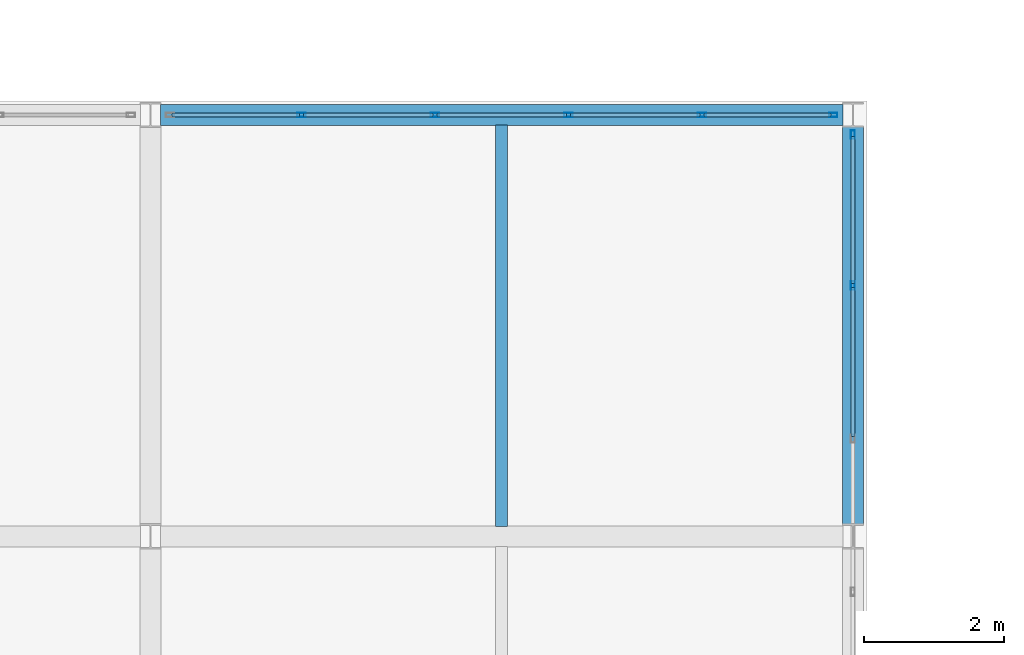
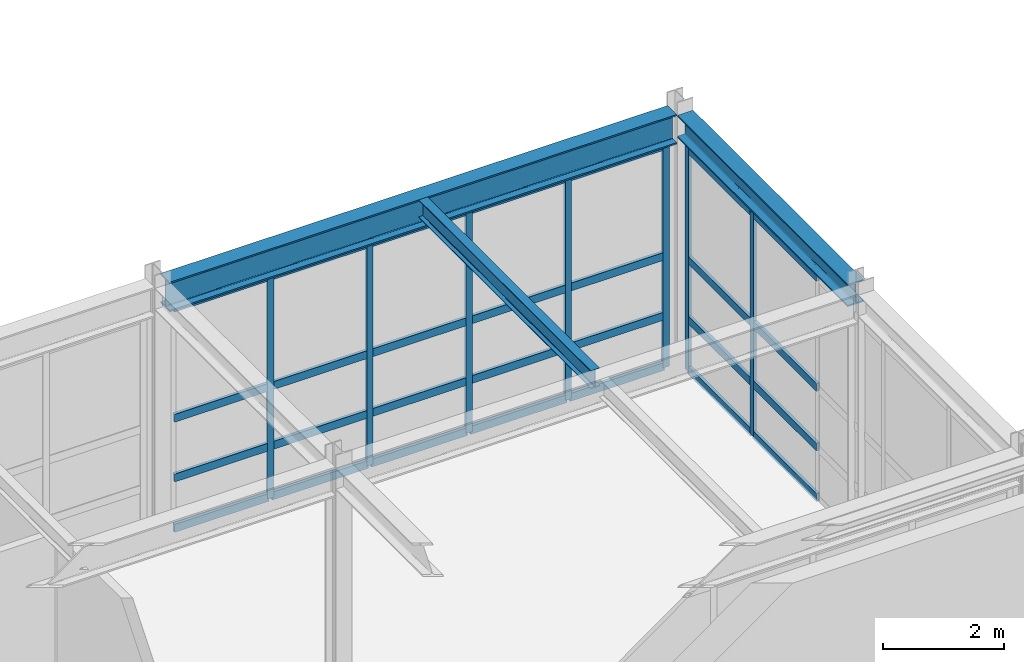
# One storey, part 130 of 210: 35 members, 3 beams, 2 elements without a shape of their own.
"""IFC4 building model written with IfcOpenShell, lengths in metres."""

from ifc_helpers import new_model, si_unit, direction, frame, origin, origin_2d, place, context, subcontext, project, spatial, hollow_rectangle, i_section, extrude, material, material_profile, profile_set, type_object, element, aggregate, save


model = new_model("IFC4")

# Units and contexts
model_context = context("Model", 3, precision=1e-05, world=origin(), true_north=direction((0.0, 1.0)))
body_context = subcontext(model_context, "Body", "Model", "MODEL_VIEW")
ifc_project = project(units=[si_unit("LENGTHUNIT", "METRE"), si_unit("AREAUNIT", "SQUARE_METRE"), si_unit("VOLUMEUNIT", "CUBIC_METRE"), si_unit("PLANEANGLEUNIT", "RADIAN"), si_unit("MASSUNIT", "GRAM", prefix="KILO")], contexts=[model_context])

# Site, building, storey
site_placement = place(None, origin())
site = spatial("IfcSite", under=ifc_project, at=site_placement, CompositionType="ELEMENT")
building_placement = place(site_placement, origin())
building = spatial("IfcBuilding", under=site, at=building_placement, Name="Kaldris Quays Convention Centre", CompositionType="ELEMENT")
storey_placement = place(building_placement, frame((0.0, 0.0, 6.0)))
storey = spatial("IfcBuildingStorey", under=building, at=storey_placement, Name="L01", CompositionType="ELEMENT", Elevation=6.0)

# Curtain wall, members
ifc_material_1 = material(Name="Anodized aluminium AW-6060 and triple glazing", Category="aluminium")
curtain_wall_type = type_object("IfcCurtainWallType", Name="UNITISED CURTAIN WALL CW06", PredefinedType="NOTDEFINED", material=ifc_material_1)
curtain_wall_1_placement = place(storey_placement, origin())
curtain_wall_1 = element("IfcCurtainWall", 1, at=curtain_wall_1_placement, inside=storey, type_object=curtain_wall_type, Name="L01 Unitised Curtain Wall CW06 163", PredefinedType="NOTDEFINED")
ifc_material_2 = material(Name="Anodized aluminium AW-6060", Category="aluminium")
ifc_material_profile_1 = material_profile(ifc_material_2, hollow_rectangle(XDim=0.06005859375, YDim=0.1201171875, WallThickness=0.00390625, at=origin_2d()), Name="RHS 120x60x4")
ifc_profile_set_1 = profile_set([ifc_material_profile_1], Name="Anodized aluminium AW-6060")
member_type_1 = type_object("IfcMemberType", Name="CURTAIN MULLION CWM3", PredefinedType="MULLION", material=ifc_profile_set_1)
member_1_placement = place(storey_placement, frame((186.14990234375, 116.0, 0.0), z_axis=(0.0, 0.0, 1.0), x_axis=(0.0, 1.0, 0.0)))
member_1 = element("IfcMember", 2, at=member_1_placement, type_object=member_type_1, Name="CW06 mullion 2", PredefinedType="MULLION", context=body_context, shape_type="SweptSolid", body=[
    extrude(hollow_rectangle(XDim=0.06005859375, YDim=0.1201171875, WallThickness=0.00390625, at=origin_2d()), origin(), (0.0, 0.0, 1.0), 4.51806640625),
])
member_2_placement = place(storey_placement, frame((188.050048828125, 116.0, 0.0), z_axis=(0.0, 0.0, 1.0), x_axis=(0.0, 1.0, 0.0)))
member_2 = element("IfcMember", 3, at=member_2_placement, type_object=member_type_1, Name="CW06 mullion 3", PredefinedType="MULLION", context=body_context, shape_type="SweptSolid", body=[
    extrude(hollow_rectangle(XDim=0.06005859375, YDim=0.1201171875, WallThickness=0.00390625, at=origin_2d()), origin(), (0.0, 0.0, 1.0), 4.51806640625),
])
member_3_placement = place(storey_placement, frame((189.949951171875, 116.0, 0.0), z_axis=(0.0, 0.0, 1.0), x_axis=(0.0, 1.0, 0.0)))
member_3 = element("IfcMember", 4, at=member_3_placement, type_object=member_type_1, Name="CW06 mullion 4", PredefinedType="MULLION", context=body_context, shape_type="SweptSolid", body=[
    extrude(hollow_rectangle(XDim=0.06005859375, YDim=0.1201171875, WallThickness=0.00390625, at=origin_2d()), origin(), (0.0, 0.0, 1.0), 4.51806640625),
])
member_4_placement = place(storey_placement, frame((191.85009765625, 116.0, 0.0), z_axis=(0.0, 0.0, 1.0), x_axis=(0.0, 1.0, 0.0)))
member_4 = element("IfcMember", 5, at=member_4_placement, type_object=member_type_1, Name="CW06 mullion 5", PredefinedType="MULLION", context=body_context, shape_type="SweptSolid", body=[
    extrude(hollow_rectangle(XDim=0.06005859375, YDim=0.1201171875, WallThickness=0.00390625, at=origin_2d()), origin(), (0.0, 0.0, 1.0), 4.51806640625),
])
member_5_placement = place(storey_placement, frame((193.719970703125, 116.0, 0.0), z_axis=(0.0, 0.0, 1.0), x_axis=(0.0, 1.0, 0.0)))
member_5 = element("IfcMember", 6, at=member_5_placement, type_object=member_type_1, Name="CW06 mullion 6", PredefinedType="MULLION", context=body_context, shape_type="SweptSolid", body=[
    extrude(hollow_rectangle(XDim=0.06005859375, YDim=0.1201171875, WallThickness=0.00390625, at=origin_2d()), origin(), (0.0, 0.0, 1.0), 4.51806640625),
])

curtain_wall_2_placement = place(storey_placement, origin())
curtain_wall_2 = element("IfcCurtainWall", 7, at=curtain_wall_2_placement, inside=storey, type_object=curtain_wall_type, Name="L01 Unitised Curtain Wall CW06 165", PredefinedType="NOTDEFINED")
member_6_placement = place(storey_placement, frame((194.0, 113.570068359375, 0.0), z_axis=(0.0, 0.0, 1.0), x_axis=(-1.0, 0.0, 0.0)))
member_6 = element("IfcMember", 8, at=member_6_placement, type_object=member_type_1, Name="CW06 mullion 5", PredefinedType="MULLION", context=body_context, shape_type="SweptSolid", body=[
    extrude(hollow_rectangle(XDim=0.06005859375, YDim=0.1201171875, WallThickness=0.00390625, at=origin_2d()), origin(), (0.0, 0.0, 1.0), 4.51806640625),
])
member_7_placement = place(storey_placement, frame((194.0, 115.719970703125, 0.0), z_axis=(0.0, 0.0, 1.0), x_axis=(-1.0, 0.0, 0.0)))
member_7 = element("IfcMember", 9, at=member_7_placement, type_object=member_type_1, Name="CW06 mullion 6", PredefinedType="MULLION", context=body_context, shape_type="SweptSolid", body=[
    extrude(hollow_rectangle(XDim=0.06005859375, YDim=0.1201171875, WallThickness=0.00390625, at=origin_2d()), origin(), (0.0, 0.0, 1.0), 4.51806640625),
])

# Member
ifc_material_profile_2 = material_profile(ifc_material_2, hollow_rectangle(XDim=0.06005859375, YDim=0.159912109375, WallThickness=0.00390625, at=origin_2d()), Name="RHS 160x60x4")
ifc_profile_set_2 = profile_set([ifc_material_profile_2], Name="Anodized aluminium AW-6060")
member_type_2 = type_object("IfcMemberType", Name="CURTAIN TRANSOM CWT2", PredefinedType="USERDEFINED", material=ifc_profile_set_2)
member_8_placement = place(storey_placement, frame((184.31005859375, 116.0, 0.030029296875), z_axis=(1.0, 0.0, 0.0), x_axis=(0.0, 1.0, 0.0)))
member_8 = element("IfcMember", 10, at=member_8_placement, type_object=member_type_2, Name="CW06 transom 1.1", ObjectType="TRANSOM", PredefinedType="USERDEFINED", context=body_context, shape_type="SweptSolid", body=[
    extrude(hollow_rectangle(XDim=0.06005859375, YDim=0.159912109375, WallThickness=0.00390625, at=origin_2d()), origin(), (0.0, 0.0, 1.0), 1.81005859375),
])

member_9_placement = place(storey_placement, frame((184.31005859375, 116.0, 1.050048828125), z_axis=(1.0, 0.0, 0.0), x_axis=(0.0, 1.0, 0.0)))
member_9 = element("IfcMember", 11, at=member_9_placement, type_object=member_type_2, Name="CW06 transom 1.2", ObjectType="TRANSOM", PredefinedType="USERDEFINED", context=body_context, shape_type="SweptSolid", body=[
    extrude(hollow_rectangle(XDim=0.06005859375, YDim=0.159912109375, WallThickness=0.00390625, at=origin_2d()), origin(), (0.0, 0.0, 1.0), 1.81005859375),
])

member_10_placement = place(storey_placement, frame((184.31005859375, 116.0, 2.259033203125), z_axis=(1.0, 0.0, 0.0), x_axis=(0.0, 1.0, 0.0)))
member_10 = element("IfcMember", 12, at=member_10_placement, type_object=member_type_2, Name="CW06 transom 1.3", ObjectType="TRANSOM", PredefinedType="USERDEFINED", context=body_context, shape_type="SweptSolid", body=[
    extrude(hollow_rectangle(XDim=0.06005859375, YDim=0.159912109375, WallThickness=0.00390625, at=origin_2d()), origin(), (0.0, 0.0, 1.0), 1.81005859375),
])

member_11_placement = place(storey_placement, frame((184.31005859375, 116.0, 4.488037109375), z_axis=(1.0, 0.0, 0.0), x_axis=(0.0, 1.0, 0.0)))
member_11 = element("IfcMember", 13, at=member_11_placement, type_object=member_type_2, Name="CW06 transom 1.4", ObjectType="TRANSOM", PredefinedType="USERDEFINED", context=body_context, shape_type="SweptSolid", body=[
    extrude(hollow_rectangle(XDim=0.06005859375, YDim=0.159912109375, WallThickness=0.00390625, at=origin_2d()), origin(), (0.0, 0.0, 1.0), 1.81005859375),
])

member_12_placement = place(storey_placement, frame((186.179931640625, 116.0, 0.030029296875), z_axis=(1.0, 0.0, 0.0), x_axis=(0.0, 1.0, 0.0)))
member_12 = element("IfcMember", 14, at=member_12_placement, type_object=member_type_2, Name="CW06 transom 2.1", ObjectType="TRANSOM", PredefinedType="USERDEFINED", context=body_context, shape_type="SweptSolid", body=[
    extrude(hollow_rectangle(XDim=0.06005859375, YDim=0.159912109375, WallThickness=0.00390625, at=origin_2d()), origin(), (0.0, 0.0, 1.0), 1.840087890625),
])

member_13_placement = place(storey_placement, frame((186.179931640625, 116.0, 1.050048828125), z_axis=(1.0, 0.0, 0.0), x_axis=(0.0, 1.0, 0.0)))
member_13 = element("IfcMember", 15, at=member_13_placement, type_object=member_type_2, Name="CW06 transom 2.2", ObjectType="TRANSOM", PredefinedType="USERDEFINED", context=body_context, shape_type="SweptSolid", body=[
    extrude(hollow_rectangle(XDim=0.06005859375, YDim=0.159912109375, WallThickness=0.00390625, at=origin_2d()), origin(), (0.0, 0.0, 1.0), 1.840087890625),
])

member_14_placement = place(storey_placement, frame((186.179931640625, 116.0, 2.259033203125), z_axis=(1.0, 0.0, 0.0), x_axis=(0.0, 1.0, 0.0)))
member_14 = element("IfcMember", 16, at=member_14_placement, type_object=member_type_2, Name="CW06 transom 2.3", ObjectType="TRANSOM", PredefinedType="USERDEFINED", context=body_context, shape_type="SweptSolid", body=[
    extrude(hollow_rectangle(XDim=0.06005859375, YDim=0.159912109375, WallThickness=0.00390625, at=origin_2d()), origin(), (0.0, 0.0, 1.0), 1.840087890625),
])

member_15_placement = place(storey_placement, frame((186.179931640625, 116.0, 4.488037109375), z_axis=(1.0, 0.0, 0.0), x_axis=(0.0, 1.0, 0.0)))
member_15 = element("IfcMember", 17, at=member_15_placement, type_object=member_type_2, Name="CW06 transom 2.4", ObjectType="TRANSOM", PredefinedType="USERDEFINED", context=body_context, shape_type="SweptSolid", body=[
    extrude(hollow_rectangle(XDim=0.06005859375, YDim=0.159912109375, WallThickness=0.00390625, at=origin_2d()), origin(), (0.0, 0.0, 1.0), 1.840087890625),
])

member_16_placement = place(storey_placement, frame((188.080078125, 116.0, 0.030029296875), z_axis=(1.0, 0.0, 0.0), x_axis=(0.0, 1.0, 0.0)))
member_16 = element("IfcMember", 18, at=member_16_placement, type_object=member_type_2, Name="CW06 transom 3.1", ObjectType="TRANSOM", PredefinedType="USERDEFINED", context=body_context, shape_type="SweptSolid", body=[
    extrude(hollow_rectangle(XDim=0.06005859375, YDim=0.159912109375, WallThickness=0.00390625, at=origin_2d()), origin(), (0.0, 0.0, 1.0), 1.83984375),
])

member_17_placement = place(storey_placement, frame((188.080078125, 116.0, 1.050048828125), z_axis=(1.0, 0.0, 0.0), x_axis=(0.0, 1.0, 0.0)))
member_17 = element("IfcMember", 19, at=member_17_placement, type_object=member_type_2, Name="CW06 transom 3.2", ObjectType="TRANSOM", PredefinedType="USERDEFINED", context=body_context, shape_type="SweptSolid", body=[
    extrude(hollow_rectangle(XDim=0.06005859375, YDim=0.159912109375, WallThickness=0.00390625, at=origin_2d()), origin(), (0.0, 0.0, 1.0), 1.83984375),
])

member_18_placement = place(storey_placement, frame((188.080078125, 116.0, 2.259033203125), z_axis=(1.0, 0.0, 0.0), x_axis=(0.0, 1.0, 0.0)))
member_18 = element("IfcMember", 20, at=member_18_placement, type_object=member_type_2, Name="CW06 transom 3.3", ObjectType="TRANSOM", PredefinedType="USERDEFINED", context=body_context, shape_type="SweptSolid", body=[
    extrude(hollow_rectangle(XDim=0.06005859375, YDim=0.159912109375, WallThickness=0.00390625, at=origin_2d()), origin(), (0.0, 0.0, 1.0), 1.83984375),
])

member_19_placement = place(storey_placement, frame((188.080078125, 116.0, 4.488037109375), z_axis=(1.0, 0.0, 0.0), x_axis=(0.0, 1.0, 0.0)))
member_19 = element("IfcMember", 21, at=member_19_placement, type_object=member_type_2, Name="CW06 transom 3.4", ObjectType="TRANSOM", PredefinedType="USERDEFINED", context=body_context, shape_type="SweptSolid", body=[
    extrude(hollow_rectangle(XDim=0.06005859375, YDim=0.159912109375, WallThickness=0.00390625, at=origin_2d()), origin(), (0.0, 0.0, 1.0), 1.83984375),
])

member_20_placement = place(storey_placement, frame((189.97998046875, 116.0, 0.030029296875), z_axis=(1.0, 0.0, 0.0), x_axis=(0.0, 1.0, 0.0)))
member_20 = element("IfcMember", 22, at=member_20_placement, type_object=member_type_2, Name="CW06 transom 4.1", ObjectType="TRANSOM", PredefinedType="USERDEFINED", context=body_context, shape_type="SweptSolid", body=[
    extrude(hollow_rectangle(XDim=0.06005859375, YDim=0.159912109375, WallThickness=0.00390625, at=origin_2d()), origin(), (0.0, 0.0, 1.0), 1.840087890625),
])

member_21_placement = place(storey_placement, frame((189.97998046875, 116.0, 1.050048828125), z_axis=(1.0, 0.0, 0.0), x_axis=(0.0, 1.0, 0.0)))
member_21 = element("IfcMember", 23, at=member_21_placement, type_object=member_type_2, Name="CW06 transom 4.2", ObjectType="TRANSOM", PredefinedType="USERDEFINED", context=body_context, shape_type="SweptSolid", body=[
    extrude(hollow_rectangle(XDim=0.06005859375, YDim=0.159912109375, WallThickness=0.00390625, at=origin_2d()), origin(), (0.0, 0.0, 1.0), 1.840087890625),
])

member_22_placement = place(storey_placement, frame((189.97998046875, 116.0, 2.259033203125), z_axis=(1.0, 0.0, 0.0), x_axis=(0.0, 1.0, 0.0)))
member_22 = element("IfcMember", 24, at=member_22_placement, type_object=member_type_2, Name="CW06 transom 4.3", ObjectType="TRANSOM", PredefinedType="USERDEFINED", context=body_context, shape_type="SweptSolid", body=[
    extrude(hollow_rectangle(XDim=0.06005859375, YDim=0.159912109375, WallThickness=0.00390625, at=origin_2d()), origin(), (0.0, 0.0, 1.0), 1.840087890625),
])

member_23_placement = place(storey_placement, frame((189.97998046875, 116.0, 4.488037109375), z_axis=(1.0, 0.0, 0.0), x_axis=(0.0, 1.0, 0.0)))
member_23 = element("IfcMember", 25, at=member_23_placement, type_object=member_type_2, Name="CW06 transom 4.4", ObjectType="TRANSOM", PredefinedType="USERDEFINED", context=body_context, shape_type="SweptSolid", body=[
    extrude(hollow_rectangle(XDim=0.06005859375, YDim=0.159912109375, WallThickness=0.00390625, at=origin_2d()), origin(), (0.0, 0.0, 1.0), 1.840087890625),
])

member_24_placement = place(storey_placement, frame((191.8798828125, 116.0, 0.030029296875), z_axis=(1.0, 0.0, 0.0), x_axis=(0.0, 1.0, 0.0)))
member_24 = element("IfcMember", 26, at=member_24_placement, type_object=member_type_2, Name="CW06 transom 5.1", ObjectType="TRANSOM", PredefinedType="USERDEFINED", context=body_context, shape_type="SweptSolid", body=[
    extrude(hollow_rectangle(XDim=0.06005859375, YDim=0.159912109375, WallThickness=0.00390625, at=origin_2d()), origin(), (0.0, 0.0, 1.0), 1.81005859375),
])

member_25_placement = place(storey_placement, frame((191.8798828125, 116.0, 1.050048828125), z_axis=(1.0, 0.0, 0.0), x_axis=(0.0, 1.0, 0.0)))
member_25 = element("IfcMember", 27, at=member_25_placement, type_object=member_type_2, Name="CW06 transom 5.2", ObjectType="TRANSOM", PredefinedType="USERDEFINED", context=body_context, shape_type="SweptSolid", body=[
    extrude(hollow_rectangle(XDim=0.06005859375, YDim=0.159912109375, WallThickness=0.00390625, at=origin_2d()), origin(), (0.0, 0.0, 1.0), 1.81005859375),
])

member_26_placement = place(storey_placement, frame((191.8798828125, 116.0, 2.259033203125), z_axis=(1.0, 0.0, 0.0), x_axis=(0.0, 1.0, 0.0)))
member_26 = element("IfcMember", 28, at=member_26_placement, type_object=member_type_2, Name="CW06 transom 5.3", ObjectType="TRANSOM", PredefinedType="USERDEFINED", context=body_context, shape_type="SweptSolid", body=[
    extrude(hollow_rectangle(XDim=0.06005859375, YDim=0.159912109375, WallThickness=0.00390625, at=origin_2d()), origin(), (0.0, 0.0, 1.0), 1.81005859375),
])

member_27_placement = place(storey_placement, frame((191.8798828125, 116.0, 4.488037109375), z_axis=(1.0, 0.0, 0.0), x_axis=(0.0, 1.0, 0.0)))
member_27 = element("IfcMember", 29, at=member_27_placement, type_object=member_type_2, Name="CW06 transom 5.4", ObjectType="TRANSOM", PredefinedType="USERDEFINED", context=body_context, shape_type="SweptSolid", body=[
    extrude(hollow_rectangle(XDim=0.06005859375, YDim=0.159912109375, WallThickness=0.00390625, at=origin_2d()), origin(), (0.0, 0.0, 1.0), 1.81005859375),
])

aggregate(curtain_wall_1, [member_1, member_2, member_3, member_4, member_5, member_8, member_9, member_10, member_11, member_12, member_13, member_14, member_15, member_16, member_17, member_18, member_19, member_20, member_21, member_22, member_23, member_24, member_25, member_26, member_27])

member_28_placement = place(storey_placement, frame((194.0, 111.419921875, 0.030029296875), z_axis=(0.0, 1.0, 0.0), x_axis=(-1.0, 0.0, 0.0)))
member_28 = element("IfcMember", 30, at=member_28_placement, type_object=member_type_2, Name="CW06 transom 4.1", ObjectType="TRANSOM", PredefinedType="USERDEFINED", context=body_context, shape_type="SweptSolid", body=[
    extrude(hollow_rectangle(XDim=0.06005859375, YDim=0.159912109375, WallThickness=0.00390625, at=origin_2d()), origin(), (0.0, 0.0, 1.0), 2.1201171875),
])

member_29_placement = place(storey_placement, frame((194.0, 111.419921875, 1.050048828125), z_axis=(0.0, 1.0, 0.0), x_axis=(-1.0, 0.0, 0.0)))
member_29 = element("IfcMember", 31, at=member_29_placement, type_object=member_type_2, Name="CW06 transom 4.2", ObjectType="TRANSOM", PredefinedType="USERDEFINED", context=body_context, shape_type="SweptSolid", body=[
    extrude(hollow_rectangle(XDim=0.06005859375, YDim=0.159912109375, WallThickness=0.00390625, at=origin_2d()), origin(), (0.0, 0.0, 1.0), 2.1201171875),
])

member_30_placement = place(storey_placement, frame((194.0, 111.419921875, 2.259033203125), z_axis=(0.0, 1.0, 0.0), x_axis=(-1.0, 0.0, 0.0)))
member_30 = element("IfcMember", 32, at=member_30_placement, type_object=member_type_2, Name="CW06 transom 4.3", ObjectType="TRANSOM", PredefinedType="USERDEFINED", context=body_context, shape_type="SweptSolid", body=[
    extrude(hollow_rectangle(XDim=0.06005859375, YDim=0.159912109375, WallThickness=0.00390625, at=origin_2d()), origin(), (0.0, 0.0, 1.0), 2.1201171875),
])

member_31_placement = place(storey_placement, frame((194.0, 111.419921875, 4.488037109375), z_axis=(0.0, 1.0, 0.0), x_axis=(-1.0, 0.0, 0.0)))
member_31 = element("IfcMember", 33, at=member_31_placement, type_object=member_type_2, Name="CW06 transom 4.4", ObjectType="TRANSOM", PredefinedType="USERDEFINED", context=body_context, shape_type="SweptSolid", body=[
    extrude(hollow_rectangle(XDim=0.06005859375, YDim=0.159912109375, WallThickness=0.00390625, at=origin_2d()), origin(), (0.0, 0.0, 1.0), 2.1201171875),
])

member_32_placement = place(storey_placement, frame((194.0, 113.60009765625, 0.030029296875), z_axis=(0.0, 1.0, 0.0), x_axis=(-1.0, 0.0, 0.0)))
member_32 = element("IfcMember", 34, at=member_32_placement, type_object=member_type_2, Name="CW06 transom 5.1", ObjectType="TRANSOM", PredefinedType="USERDEFINED", context=body_context, shape_type="SweptSolid", body=[
    extrude(hollow_rectangle(XDim=0.06005859375, YDim=0.159912109375, WallThickness=0.00390625, at=origin_2d()), origin(), (0.0, 0.0, 1.0), 2.08984375),
])

member_33_placement = place(storey_placement, frame((194.0, 113.60009765625, 1.050048828125), z_axis=(0.0, 1.0, 0.0), x_axis=(-1.0, 0.0, 0.0)))
member_33 = element("IfcMember", 35, at=member_33_placement, type_object=member_type_2, Name="CW06 transom 5.2", ObjectType="TRANSOM", PredefinedType="USERDEFINED", context=body_context, shape_type="SweptSolid", body=[
    extrude(hollow_rectangle(XDim=0.06005859375, YDim=0.159912109375, WallThickness=0.00390625, at=origin_2d()), origin(), (0.0, 0.0, 1.0), 2.08984375),
])

member_34_placement = place(storey_placement, frame((194.0, 113.60009765625, 2.259033203125), z_axis=(0.0, 1.0, 0.0), x_axis=(-1.0, 0.0, 0.0)))
member_34 = element("IfcMember", 36, at=member_34_placement, type_object=member_type_2, Name="CW06 transom 5.3", ObjectType="TRANSOM", PredefinedType="USERDEFINED", context=body_context, shape_type="SweptSolid", body=[
    extrude(hollow_rectangle(XDim=0.06005859375, YDim=0.159912109375, WallThickness=0.00390625, at=origin_2d()), origin(), (0.0, 0.0, 1.0), 2.08984375),
])

member_35_placement = place(storey_placement, frame((194.0, 113.60009765625, 4.488037109375), z_axis=(0.0, 1.0, 0.0), x_axis=(-1.0, 0.0, 0.0)))
member_35 = element("IfcMember", 37, at=member_35_placement, type_object=member_type_2, Name="CW06 transom 5.4", ObjectType="TRANSOM", PredefinedType="USERDEFINED", context=body_context, shape_type="SweptSolid", body=[
    extrude(hollow_rectangle(XDim=0.06005859375, YDim=0.159912109375, WallThickness=0.00390625, at=origin_2d()), origin(), (0.0, 0.0, 1.0), 2.08984375),
])

aggregate(curtain_wall_2, [member_6, member_7, member_28, member_29, member_30, member_31, member_32, member_33, member_34, member_35])

# Beams
ifc_material_3 = material(Name="Steel S355J2", Category="steel")
ifc_material_profile_3 = material_profile(ifc_material_3, i_section(OverallWidth=0.300048828125, OverallDepth=0.60009765625, WebThickness=0.015380859375, FlangeThickness=0.030029296875, FilletRadius=0.027099609375, at=origin_2d()), Name="HEB 600")
ifc_profile_set_3 = profile_set([ifc_material_profile_3], Name="Steel S355J2")
beam_type_1 = type_object("IfcBeamType", Name="STRUCTURAL BEAM BM05", PredefinedType="BEAM", material=ifc_profile_set_3)
beam_1_placement = place(storey_placement, frame((184.14404296875, 116.0, 4.843017578125), z_axis=(1.0, 0.0, 0.0), x_axis=(0.0, 1.0, 0.0)))
element("IfcBeam", 38, at=beam_1_placement, inside=storey, type_object=beam_type_1, Name="L01 Girder BM05 55", PredefinedType="BEAM", context=body_context, shape_type="SweptSolid", body=[
    extrude(i_section(OverallWidth=0.300048828125, OverallDepth=0.60009765625, WebThickness=0.015380859375, FlangeThickness=0.030029296875, FilletRadius=0.027099609375, at=origin_2d()), origin(), (0.0, 0.0, 1.0), 9.7119140625),
])
ifc_material_profile_4 = material_profile(ifc_material_3, i_section(OverallWidth=0.300048828125, OverallDepth=0.449951171875, WebThickness=0.013916015625, FlangeThickness=0.02587890625, FilletRadius=0.027099609375, at=origin_2d()), Name="HEB 450")
ifc_profile_set_4 = profile_set([ifc_material_profile_4], Name="Steel S355J2")
beam_type_2 = type_object("IfcBeamType", Name="STRUCTURAL BEAM BM07", PredefinedType="BEAM", material=ifc_profile_set_4)
beam_2_placement = place(storey_placement, frame((194.0, 110.174072265625, 4.91796875), z_axis=(0.0, 1.0, 0.0), x_axis=(-1.0, 0.0, 0.0)))
element("IfcBeam", 39, at=beam_2_placement, inside=storey, type_object=beam_type_2, Name="L01 Girder BM07 109", PredefinedType="BEAM", context=body_context, shape_type="SweptSolid", body=[
    extrude(i_section(OverallWidth=0.300048828125, OverallDepth=0.449951171875, WebThickness=0.013916015625, FlangeThickness=0.02587890625, FilletRadius=0.027099609375, at=origin_2d()), origin(), (0.0, 0.0, 1.0), 5.65185546875),
])
ifc_material_profile_5 = material_profile(ifc_material_3, i_section(OverallWidth=0.169921875, OverallDepth=0.360107421875, WebThickness=0.008056640625, FlangeThickness=0.0126953125, FilletRadius=0.01806640625, at=origin_2d()), Name="IPE 360")
ifc_profile_set_5 = profile_set([ifc_material_profile_5], Name="Steel S355J2")
beam_type_3 = type_object("IfcBeamType", Name="STRUCTURAL BEAM JT03", PredefinedType="JOIST", material=ifc_profile_set_5)
beam_3_placement = place(storey_placement, frame((189.0, 110.14404296875, 4.962890625), z_axis=(0.0, 1.0, 0.0), x_axis=(-1.0, 0.0, 0.0)))
element("IfcBeam", 40, at=beam_3_placement, inside=storey, type_object=beam_type_3, Name="L01 Secondary Joist JT03 35", PredefinedType="JOIST", context=body_context, shape_type="SweptSolid", body=[
    extrude(i_section(OverallWidth=0.169921875, OverallDepth=0.360107421875, WebThickness=0.008056640625, FlangeThickness=0.0126953125, FilletRadius=0.01806640625, at=origin_2d()), origin(), (0.0, 0.0, 1.0), 5.7119140625),
])

save(model, "model.ifc")
